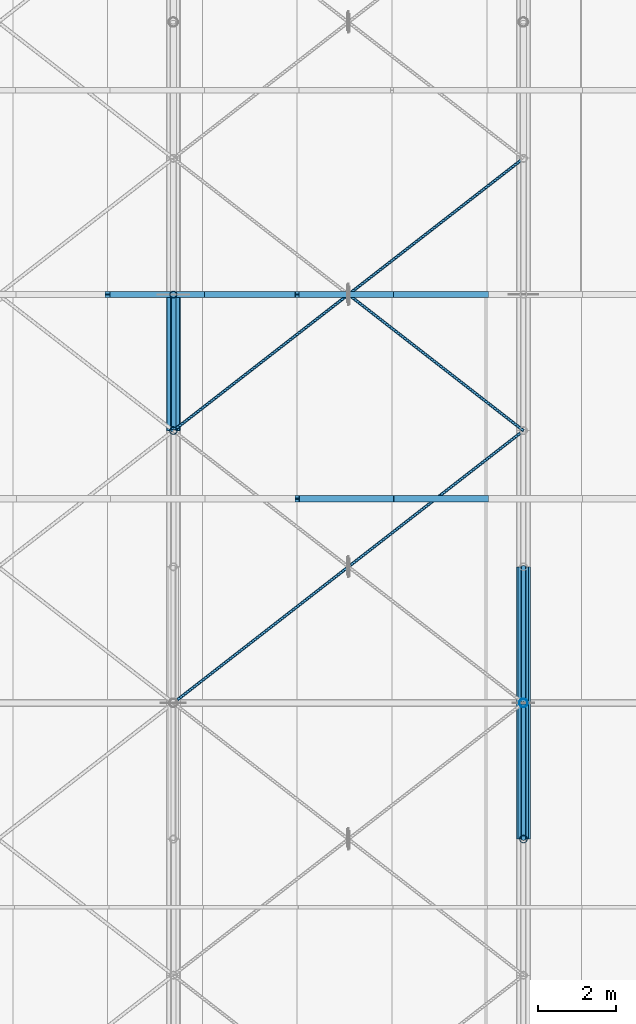
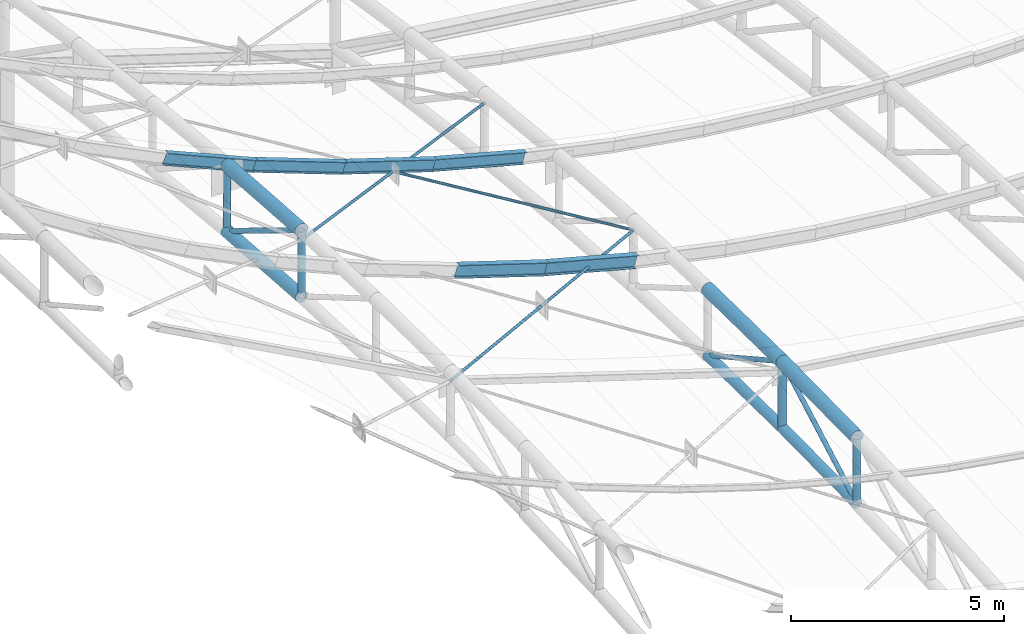
# One storey, part 24 of 262: 22 members.
"""IFC4 building model written with IfcOpenShell, lengths in metres."""

from ifc_helpers import new_model, si_unit, derived_unit, direction, frame, origin, origin_2d, place, context, subcontext, project, spatial, hollow_circle, i_section, extrude, material, material_profile, profile_set, type_object, element, save


model = new_model("IFC4")

# Units and contexts
model_context = context("Model", 3, precision=1e-05, world=origin(), true_north=direction((0.0, 1.0)))
body_context = subcontext(model_context, "Body", "Model", "MODEL_VIEW")
ifc_project = project(units=[si_unit("LENGTHUNIT", "METRE"), si_unit("AREAUNIT", "SQUARE_METRE"), si_unit("VOLUMEUNIT", "CUBIC_METRE"), si_unit("PLANEANGLEUNIT", "RADIAN"), si_unit("MASSUNIT", "GRAM", prefix="KILO"), derived_unit("THERMALTRANSMITTANCEUNIT", [(si_unit("POWERUNIT", "WATT"), 1), (si_unit("LENGTHUNIT", "METRE"), -2), (si_unit("THERMODYNAMICTEMPERATUREUNIT", "KELVIN"), -1)])], contexts=[model_context])

# Site, building, storey
site_placement = place(None, origin())
site = spatial("IfcSite", under=ifc_project, at=site_placement, CompositionType="ELEMENT")
building_placement = place(site_placement, origin())
building = spatial("IfcBuilding", under=site, at=building_placement, Name="Almenara Railside Exhibition Hall", CompositionType="ELEMENT")
storey_placement = place(building_placement, frame((0.0, 0.0, 21.699951171875)))
storey = spatial("IfcBuildingStorey", under=building, at=storey_placement, Name="RF", CompositionType="ELEMENT", Elevation=21.699951171875)

# Members
ifc_material = material(Name="Structural steel S355JR", Category="steel")
ifc_material_profile_1 = material_profile(ifc_material, i_section(OverallWidth=0.159912109375, OverallDepth=0.330078125, WebThickness=0.007568359375, FlangeThickness=0.011474609375, FilletRadius=0.01806640625, at=origin_2d()), Name="IPE 330")
ifc_profile_set_1 = profile_set([ifc_material_profile_1], Name="Structural steel S355JR")
member_type_1 = type_object("IfcMemberType", Name="Gable Bay Purlin IPE 330 S355JR", PredefinedType="PURLIN", material=ifc_profile_set_1)
member_1_placement = place(storey_placement, frame((10.31005859375, 31.5, -1.8603515625), z_axis=(0.917189812532, 0.0, -0.398450558775), x_axis=(0.0, 1.0, 0.0)))
element("IfcMember", 1, at=member_1_placement, inside=storey, type_object=member_type_1, Name="MEM-PR-V4-PR-IPE330-06-03", PredefinedType="PURLIN", context=body_context, shape_type="SweptSolid", body=[
    extrude(i_section(OverallWidth=0.159912109375, OverallDepth=0.330078125, WebThickness=0.007568359375, FlangeThickness=0.011474609375, FilletRadius=0.01806640625, at=origin_2d()), origin(), (0.0, 0.0, 1.0), 2.65673828125),
])
member_2_placement = place(storey_placement, frame((12.746826171875, 31.5, -2.910888671875), z_axis=(0.936171044044, 0.0, -0.351544842508), x_axis=(0.0, 1.0, 0.0)))
element("IfcMember", 2, at=member_2_placement, inside=storey, type_object=member_type_1, Name="MEM-PR-V4-PR-IPE330-06-04", PredefinedType="PURLIN", context=body_context, shape_type="SweptSolid", body=[
    extrude(i_section(OverallWidth=0.159912109375, OverallDepth=0.330078125, WebThickness=0.007568359375, FlangeThickness=0.011474609375, FilletRadius=0.01806640625, at=origin_2d()), origin(), (0.0, 0.0, 1.0), 2.60302734375),
])
member_3_placement = place(storey_placement, frame((15.18359375, 31.5, -3.8193359375), z_axis=(0.952440767254, 0.0, -0.304723784553), x_axis=(0.0, 1.0, 0.0)))
element("IfcMember", 3, at=member_3_placement, inside=storey, type_object=member_type_1, Name="MEM-PR-V4-PR-IPE330-06-05", PredefinedType="PURLIN", context=body_context, shape_type="SweptSolid", body=[
    extrude(i_section(OverallWidth=0.159912109375, OverallDepth=0.330078125, WebThickness=0.007568359375, FlangeThickness=0.011474609375, FilletRadius=0.01806640625, at=origin_2d()), origin(), (0.0, 0.0, 1.0), 2.55810546875),
])
member_4_placement = place(storey_placement, frame((17.6201171875, 31.5, -4.593505859375), z_axis=(0.966201190487, 0.0, -0.257789176462), x_axis=(0.0, 1.0, 0.0)))
element("IfcMember", 4, at=member_4_placement, inside=storey, type_object=member_type_1, Name="MEM-PR-V4-PR-IPE330-06-06", PredefinedType="PURLIN", context=body_context, shape_type="SweptSolid", body=[
    extrude(i_section(OverallWidth=0.159912109375, OverallDepth=0.330078125, WebThickness=0.007568359375, FlangeThickness=0.011474609375, FilletRadius=0.01806640625, at=origin_2d()), origin(), (0.0, 0.0, 1.0), 2.52197265625),
])
ifc_material_profile_2 = material_profile(ifc_material, hollow_circle(Radius=0.0380859375, WallThickness=0.003662109375, at=origin_2d()), Name="CHS 76.1x3.6")
ifc_profile_set_2 = profile_set([ifc_material_profile_2], Name="Structural steel S355JR")
member_type_2 = type_object("IfcMemberType", Name="Lantern Cross-Tie Brace CHS 76.1x3.6 S355JR", PredefinedType="BRACE", material=ifc_profile_set_2)
member_5_placement = place(storey_placement, frame((12.0, 21.0, -2.47900390625), z_axis=(0.762180219972, 0.592806837756, -0.260117983601), x_axis=(-0.613940613515, 0.789352217376, 0.0)))
element("IfcMember", 5, at=member_5_placement, inside=storey, type_object=member_type_2, Name="MEM-WB-V4-WB-CHS76-01-06-C", PredefinedType="BRACE", context=body_context, shape_type="SweptSolid", body=[
    extrude(hollow_circle(Radius=0.0380859375, WallThickness=0.003662109375, at=origin_2d()), origin(), (0.0, 0.0, 1.0), 11.808349609375),
])
member_6_placement = place(storey_placement, frame((12.0, 28.0, -2.678955078125), z_axis=(0.755123484766, 0.587318265929, -0.291282984846), x_axis=(-0.613940613515, 0.789352217376, 0.0)))
element("IfcMember", 6, at=member_6_placement, inside=storey, type_object=member_type_2, Name="MEM-WB-V4-WB-CHS76-01-08-C", PredefinedType="BRACE", context=body_context, shape_type="SweptSolid", body=[
    extrude(hollow_circle(Radius=0.0380859375, WallThickness=0.003662109375, at=origin_2d()), origin(), (0.0, 0.0, 1.0), 11.918701171875),
])
member_7_placement = place(storey_placement, frame((16.53271484375, 31.474609375, -4.4228515625), z_axis=(0.77412945488, -0.602110088636, -0.195415015417), x_axis=(0.613946586515, 0.789347571673, 0.0)))
element("IfcMember", 7, at=member_7_placement, inside=storey, type_object=member_type_2, Name="MEM-WB-V4-WB-CHS76-01-08-S2", PredefinedType="BRACE", context=body_context, shape_type="SweptSolid", body=[
    extrude(hollow_circle(Radius=0.0380859375, WallThickness=0.003662109375, at=origin_2d()), origin(), (0.0, 0.0, 1.0), 5.770751953125),
])
ifc_material_profile_3 = material_profile(ifc_material, i_section(OverallWidth=0.169921875, OverallDepth=0.360107421875, WebThickness=0.008056640625, FlangeThickness=0.0126953125, FilletRadius=0.01806640625, at=origin_2d()), Name="IPE 360")
ifc_profile_set_3 = profile_set([ifc_material_profile_3], Name="Structural steel S355JR")
member_type_3 = type_object("IfcMemberType", Name="Long-Span Scroll Purlin IPE 360 S355JR", PredefinedType="PURLIN", material=ifc_profile_set_3)
member_8_placement = place(storey_placement, frame((15.18359375, 26.25, -3.607421875), z_axis=(0.952468462339, 0.0, -0.304637207594), x_axis=(0.0, 1.0, 0.0)))
element("IfcMember", 8, at=member_8_placement, inside=storey, type_object=member_type_3, Name="MEM-PR-V4-PR-IPE360-05-05", PredefinedType="PURLIN", context=body_context, shape_type="SweptSolid", body=[
    extrude(i_section(OverallWidth=0.169921875, OverallDepth=0.360107421875, WebThickness=0.008056640625, FlangeThickness=0.0126953125, FilletRadius=0.01806640625, at=origin_2d()), origin(), (0.0, 0.0, 1.0), 2.55810546875),
])
member_9_placement = place(storey_placement, frame((17.6201171875, 26.25, -4.381103515625), z_axis=(0.966177075278, 0.0, -0.257879543988), x_axis=(0.0, 1.0, 0.0)))
element("IfcMember", 9, at=member_9_placement, inside=storey, type_object=member_type_3, Name="MEM-PR-V4-PR-IPE360-05-06", PredefinedType="PURLIN", context=body_context, shape_type="SweptSolid", body=[
    extrude(i_section(OverallWidth=0.169921875, OverallDepth=0.360107421875, WebThickness=0.008056640625, FlangeThickness=0.0126953125, FilletRadius=0.01806640625, at=origin_2d()), origin(), (0.0, 0.0, 1.0), 2.52197265625),
])
ifc_material_profile_4 = material_profile(ifc_material, hollow_circle(Radius=0.136474609375, WallThickness=0.010009765625, at=origin_2d()), Name="CHS 273x10")
ifc_profile_set_4 = profile_set([ifc_material_profile_4], Name="Structural steel S355JR")
member_type_4 = type_object("IfcMemberType", Name="Plenary Crown Bottom Chord CHS 273x10 S355JR", PredefinedType="CHORD", material=ifc_profile_set_4)
for number, where, z_axis, x_axis, name in (
    (10, (21.0, 17.5, -7.0205078125), (0.0, 0.999897775465, 0.014298203402), (-1.0, 0.0, 0.0), "MEM-BC-V4-02-05"),
    (11, (21.0, 21.0, -6.970458984375), (0.0, 0.999897775465, -0.014298203402), (-1.0, 0.0, 0.0), "MEM-BC-V4-02-06"),
):
    element("IfcMember", number, at=place(storey_placement, frame(where, z_axis=z_axis, x_axis=x_axis)), inside=storey, type_object=member_type_4, Name=name, PredefinedType="CHORD", context=body_context, shape_type="SweptSolid", body=[
        extrude(hollow_circle(Radius=0.136474609375, WallThickness=0.010009765625, at=origin_2d()), origin(), (0.0, 0.0, 1.0), 3.500244140625),
    ])
ifc_material_profile_5 = material_profile(ifc_material, hollow_circle(Radius=0.161865234375, WallThickness=0.010009765625, at=origin_2d()), Name="CHS 323.9x10")
ifc_profile_set_5 = profile_set([ifc_material_profile_5], Name="Structural steel S355JR")
member_type_5 = type_object("IfcMemberType", Name="Plenary Truss Bottom Chord CHS 323.9x10 S355JR", PredefinedType="CHORD", material=ifc_profile_set_5)
member_10_placement = place(storey_placement, frame((12.0, 28.0, -4.299072265625), z_axis=(0.0, 0.997458699831, -0.071247049988), x_axis=(-1.0, 0.0, 0.0)))
element("IfcMember", 12, at=member_10_placement, inside=storey, type_object=member_type_5, Name="MEM-BC-V4-01-08", PredefinedType="CHORD", context=body_context, shape_type="SweptSolid", body=[
    extrude(hollow_circle(Radius=0.161865234375, WallThickness=0.010009765625, at=origin_2d()), origin(), (0.0, 0.0, 1.0), 3.509033203125),
])
ifc_material_profile_6 = material_profile(ifc_material, hollow_circle(Radius=0.177734375, WallThickness=0.012451171875, at=origin_2d()), Name="CHS 355.6x12.5")
ifc_profile_set_6 = profile_set([ifc_material_profile_6], Name="Structural steel S355JR")
member_type_6 = type_object("IfcMemberType", Name="Plenary Truss Top Chord CHS 355.6x12.5 S355JR", PredefinedType="CHORD", material=ifc_profile_set_6)
member_11_placement = place(storey_placement, frame((12.0, 28.0, -2.399169921875), z_axis=(0.0, 0.997458699831, -0.071247049988), x_axis=(-1.0, 0.0, 0.0)))
element("IfcMember", 13, at=member_11_placement, inside=storey, type_object=member_type_6, Name="MEM-TC-V4-01-08", PredefinedType="CHORD", context=body_context, shape_type="SweptSolid", body=[
    extrude(hollow_circle(Radius=0.177734375, WallThickness=0.012451171875, at=origin_2d()), origin(), (0.0, 0.0, 1.0), 3.509033203125),
])
for number, where, z_axis, x_axis, name in (
    (14, (21.0, 17.5, -5.12060546875), (0.0, 0.999897775465, 0.014298203402), (-1.0, 0.0, 0.0), "MEM-TC-V4-02-05"),
    (15, (21.0, 21.0, -5.070556640625), (0.0, 0.999897775465, -0.014298203402), (-1.0, 0.0, 0.0), "MEM-TC-V4-02-06"),
):
    element("IfcMember", number, at=place(storey_placement, frame(where, z_axis=z_axis, x_axis=x_axis)), inside=storey, type_object=member_type_6, Name=name, PredefinedType="CHORD", context=body_context, shape_type="SweptSolid", body=[
        extrude(hollow_circle(Radius=0.177734375, WallThickness=0.012451171875, at=origin_2d()), origin(), (0.0, 0.0, 1.0), 3.500244140625),
    ])
ifc_material_profile_7 = material_profile(ifc_material, hollow_circle(Radius=0.0634765625, WallThickness=0.00439453125, at=origin_2d()), Name="CHS 127.0x4.5")
ifc_profile_set_7 = profile_set([ifc_material_profile_7], Name="Structural steel S355JR")
member_type_7 = type_object("IfcMemberType", Name="Truss Crown Diagonal CHS 127.0x4.5 S355JR", PredefinedType="BRACE", material=ifc_profile_set_7)
for number, where, z_axis, x_axis, name in (
    (16, (21.0, 17.5, -7.0205078125), (0.0, 0.873573157803, 0.486692857936), (-1.0, 0.0, 0.0), "MEM-TD-V4-02-05"),
    (17, (21.0, 21.0, -5.070556640625), (0.0, 0.873573157803, -0.486692857936), (-1.0, 0.0, 0.0), "MEM-TD-V4-02-06"),
):
    element("IfcMember", number, at=place(storey_placement, frame(where, z_axis=z_axis, x_axis=x_axis)), inside=storey, type_object=member_type_7, Name=name, PredefinedType="BRACE", context=body_context, shape_type="SweptSolid", body=[
        extrude(hollow_circle(Radius=0.0634765625, WallThickness=0.00439453125, at=origin_2d()), origin(), (0.0, 0.0, 1.0), 4.006591796875),
    ])
ifc_material_profile_8 = material_profile(ifc_material, hollow_circle(Radius=0.06982421875, WallThickness=0.0048828125, at=origin_2d()), Name="CHS 139.7x5")
ifc_profile_set_8 = profile_set([ifc_material_profile_8], Name="Structural steel S355JR")
member_type_8 = type_object("IfcMemberType", Name="Truss Inner Diagonal CHS 139.7x5 S355JR", PredefinedType="BRACE", material=ifc_profile_set_8)
member_12_placement = place(storey_placement, frame((12.0, 28.0, -2.399169921875), z_axis=(0.0, 0.852086589476, -0.523400844512), x_axis=(-1.0, 0.0, 0.0)))
element("IfcMember", 18, at=member_12_placement, inside=storey, type_object=member_type_8, Name="MEM-TD-V4-01-08", PredefinedType="BRACE", context=body_context, shape_type="SweptSolid", body=[
    extrude(hollow_circle(Radius=0.06982421875, WallThickness=0.0048828125, at=origin_2d()), origin(), (0.0, 0.0, 1.0), 4.107666015625),
])
ifc_material_profile_9 = material_profile(ifc_material, hollow_circle(Radius=0.109619140625, WallThickness=0.008056640625, at=origin_2d()), Name="CHS 219.1x8")
ifc_profile_set_9 = profile_set([ifc_material_profile_9], Name="Structural steel S355JR")
member_type_9 = type_object("IfcMemberType", Name="Truss Primary Vertical Strut CHS 219.1x8 S355JR", PredefinedType="BRACE", material=ifc_profile_set_9)
member_13_placement = place(storey_placement, frame((21.0, 21.0, -6.970458984375), z_axis=(0.0, 0.0, 1.0), x_axis=(1.0, 0.0, 0.0)))
element("IfcMember", 19, at=member_13_placement, inside=storey, type_object=member_type_9, Name="MEM-TV-V4-02-06", PredefinedType="BRACE", context=body_context, shape_type="SweptSolid", body=[
    extrude(hollow_circle(Radius=0.109619140625, WallThickness=0.008056640625, at=origin_2d()), origin(), (0.0, 0.0, 1.0), 1.89990234375),
])
ifc_material_profile_10 = material_profile(ifc_material, hollow_circle(Radius=0.0888671875, WallThickness=0.006103515625, at=origin_2d()), Name="CHS 177.8x6")
ifc_profile_set_10 = profile_set([ifc_material_profile_10], Name="Structural steel S355JR")
member_type_10 = type_object("IfcMemberType", Name="Truss Quarter Vertical Strut CHS 177.8x6 S355JR", PredefinedType="BRACE", material=ifc_profile_set_10)
member_14_placement = place(storey_placement, frame((12.0, 31.5, -4.549072265625), z_axis=(0.0, 0.0, 1.0), x_axis=(1.0, 0.0, 0.0)))
element("IfcMember", 20, at=member_14_placement, inside=storey, type_object=member_type_10, Name="MEM-TV-V4-01-09", PredefinedType="BRACE", context=body_context, shape_type="SweptSolid", body=[
    extrude(hollow_circle(Radius=0.0888671875, WallThickness=0.006103515625, at=origin_2d()), origin(), (0.0, 0.0, 1.0), 1.89990234375),
])
ifc_material_profile_11 = material_profile(ifc_material, hollow_circle(Radius=0.096923828125, WallThickness=0.00634765625, at=origin_2d()), Name="CHS 193.7x6.3")
ifc_profile_set_11 = profile_set([ifc_material_profile_11], Name="Structural steel S355JR")
member_type_11 = type_object("IfcMemberType", Name="Truss Standard Vertical Strut CHS 193.7x6.3 S355JR", PredefinedType="BRACE", material=ifc_profile_set_11)
for number, where, z_axis, x_axis, name in (
    (21, (12.0, 28.0, -4.299072265625), (0.0, 0.0, 1.0), (1.0, 0.0, 0.0), "MEM-TV-V4-01-08"),
    (22, (21.0, 17.5, -7.0205078125), (0.0, 0.0, 1.0), (1.0, 0.0, 0.0), "MEM-TV-V4-02-05"),
):
    element("IfcMember", number, at=place(storey_placement, frame(where, z_axis=z_axis, x_axis=x_axis)), inside=storey, type_object=member_type_11, Name=name, PredefinedType="BRACE", context=body_context, shape_type="SweptSolid", body=[
        extrude(hollow_circle(Radius=0.096923828125, WallThickness=0.00634765625, at=origin_2d()), origin(), (0.0, 0.0, 1.0), 1.89990234375),
    ])

save(model, "model.ifc")
